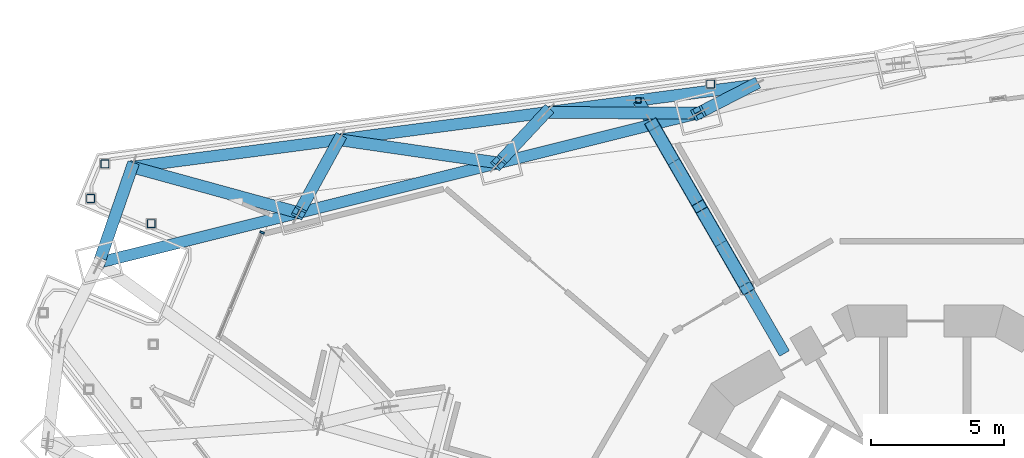
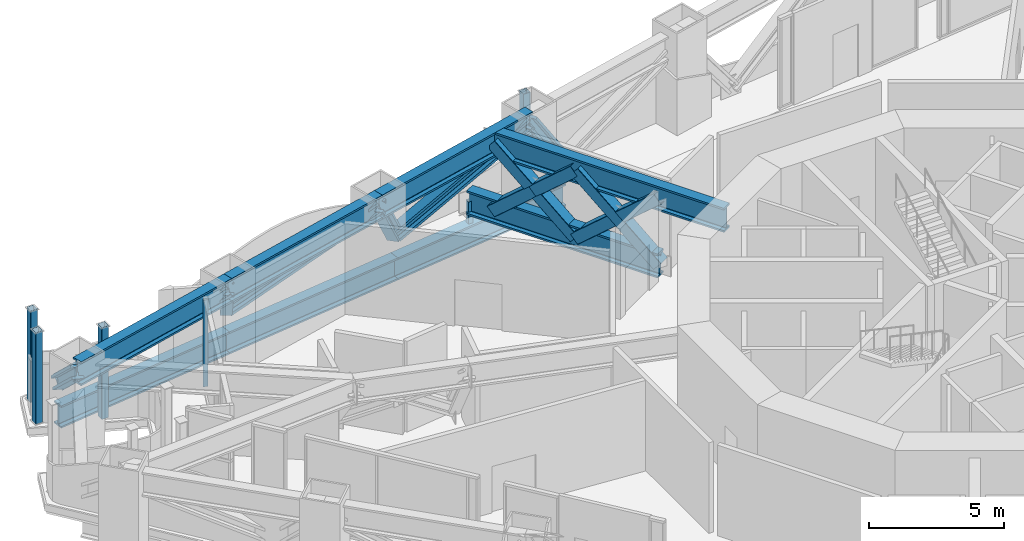
# One storey, part 6 of 31: 27 members, 1 element without a shape of its own.
"""IFC4 building model written with IfcOpenShell, lengths in metres."""

from ifc_helpers import new_model, si_unit, direction, frame, origin, origin_2d, place, context, subcontext, project, spatial, rectangle, hollow_rectangle, i_section, extrude, material, layer, layer_set, material_profile, profile_set, type_object, element, aggregate, save


model = new_model("IFC4")

# Units and contexts
model_context = context("Model", 3, precision=1e-05, world=origin(), true_north=direction((0.0, 1.0)))
body_context = subcontext(model_context, "Body", "Model", "MODEL_VIEW")
ifc_project = project(units=[si_unit("LENGTHUNIT", "METRE"), si_unit("AREAUNIT", "SQUARE_METRE"), si_unit("VOLUMEUNIT", "CUBIC_METRE"), si_unit("PLANEANGLEUNIT", "RADIAN"), si_unit("MASSUNIT", "GRAM", prefix="KILO")], contexts=[model_context])

# Site, building, storey
site_placement = place(None, origin())
site = spatial("IfcSite", under=ifc_project, at=site_placement, CompositionType="ELEMENT")
building_placement = place(site_placement, origin())
building = spatial("IfcBuilding", under=site, at=building_placement, Name="Trine Commons Tower", CompositionType="ELEMENT")
storey_placement = place(building_placement, frame((0.0, 0.0, 82.800048828125)))
storey = spatial("IfcBuildingStorey", under=building, at=storey_placement, Name="L20", CompositionType="ELEMENT", Elevation=82.800048828125)

# Curtain wall, member
ifc_material_1 = material(Name="Sky lounge glazing: anodised aluminium frame with low-emissivity double glazed unit, solar control", Category="aluminium")
ifc_layer = layer(ifc_material_1, 0.179931640625)
ifc_layer_set = layer_set([ifc_layer], Name="Sky lounge glazing: anodised aluminium frame with low-emissivity double glazed unit, solar control")
curtain_wall_type = type_object("IfcCurtainWallType", Name="Sky lounge glazing curtain wall CW5", PredefinedType="NOTDEFINED", material=ifc_layer_set)
curtain_wall_placement = place(storey_placement, origin())
curtain_wall = element("IfcCurtainWall", 1, at=curtain_wall_placement, inside=storey, type_object=curtain_wall_type, Name="Sky lounge glazing L20 P1.2", PredefinedType="NOTDEFINED")
ifc_material_2 = material(Name="Anodised aluminium, bronze finish", Category="aluminium")
ifc_material_profile_1 = material_profile(ifc_material_2, rectangle(XDim=0.179931640625, YDim=0.074951171875, at=origin_2d()), Name="Mullion 75x180")
ifc_profile_set_1 = profile_set([ifc_material_profile_1], Name="Anodised aluminium, bronze finish")
member_type_1 = type_object("IfcMemberType", Name="Mullion 75x180, Anodised aluminium, bronze finish", PredefinedType="MULLION", material=ifc_profile_set_1)
member_1_placement = place(storey_placement, frame((55.01513671875, 76.246337890625, 0.10986328125), z_axis=(0.0, 0.0, 1.0), x_axis=(-0.923879532511, 0.382683432365, 0.0)))
member_1 = element("IfcMember", 2, at=member_1_placement, type_object=member_type_1, Name="CW5 mullion 3.1", PredefinedType="MULLION", context=body_context, shape_type="SweptSolid", body=[
    extrude(rectangle(XDim=0.179931640625, YDim=0.074951171875, at=origin_2d()), origin(), (0.0, 0.0, 1.0), 3.93017578125),
])
aggregate(curtain_wall, [member_1])

# Members
ifc_material_3 = material(Name="Structural steel ASTM A500 Gr C", Category="steel")
ifc_material_profile_2 = material_profile(ifc_material_3, hollow_rectangle(XDim=0.508056640625, YDim=0.508056640625, WallThickness=0.020751953125, InnerFilletRadius=0.01025390625, OuterFilletRadius=0.031005859375, at=origin_2d()), Name="HSS20X20X7/8")
ifc_profile_set_2 = profile_set([ifc_material_profile_2], Name="Structural steel ASTM A500 Gr C")
member_type_2 = type_object("IfcMemberType", Name="Steel brace HSS20X20X7/8, ASTM A500 Gr C", PredefinedType="BRACE", material=ifc_profile_set_2)
member_2_placement = place(storey_placement, frame((73.27490234375, 74.14794921875, 0.546142578125), z_axis=(-0.379177903993, 0.656821894907, 0.651773822345), x_axis=(-0.866047323742, -0.499962031597, 0.0)))
element("IfcMember", 3, at=member_2_placement, inside=storey, type_object=member_type_2, Name="Outrigger truss brace T2-OB-01", PredefinedType="BRACE", context=body_context, shape_type="SweptSolid", body=[
    extrude(hollow_rectangle(XDim=0.508056640625, YDim=0.508056640625, WallThickness=0.020751953125, InnerFilletRadius=0.01025390625, OuterFilletRadius=0.031005859375, at=origin_2d()), origin(), (0.0, 0.0, 1.0), 4.691162109375),
])
member_3_placement = place(storey_placement, frame((73.27490234375, 74.14794921875, 3.603759765625), z_axis=(-0.379164942965, 0.656851483682, -0.651751543466), x_axis=(-0.866064474495, -0.499932321437, 0.0)))
element("IfcMember", 4, at=member_3_placement, inside=storey, type_object=member_type_2, Name="Outrigger truss brace T2-OB-02a", PredefinedType="BRACE", context=body_context, shape_type="SweptSolid", body=[
    extrude(hollow_rectangle(XDim=0.508056640625, YDim=0.508056640625, WallThickness=0.020751953125, InnerFilletRadius=0.01025390625, OuterFilletRadius=0.031005859375, at=origin_2d()), origin(), (0.0, 0.0, 1.0), 2.345703125),
])
member_4_placement = place(storey_placement, frame((72.385498046875, 75.688720703125, 2.074951171875), z_axis=(-0.379190865323, 0.656792303098, -0.651796101743), x_axis=(-0.866030169931, -0.4999917447, 0.0)))
element("IfcMember", 5, at=member_4_placement, inside=storey, type_object=member_type_2, Name="Outrigger truss brace T2-OB-02b", PredefinedType="BRACE", context=body_context, shape_type="SweptSolid", body=[
    extrude(hollow_rectangle(XDim=0.508056640625, YDim=0.508056640625, WallThickness=0.020751953125, InnerFilletRadius=0.01025390625, OuterFilletRadius=0.031005859375, at=origin_2d()), origin(), (0.0, 0.0, 1.0), 2.345458984375),
])
member_5_placement = place(storey_placement, frame((71.49609375, 77.229248046875, 0.546142578125), z_axis=(-0.379190865323, 0.656792303098, 0.651796101743), x_axis=(-0.866030169931, -0.4999917447, 0.0)))
element("IfcMember", 6, at=member_5_placement, inside=storey, type_object=member_type_2, Name="Outrigger truss brace T2-OB-03", PredefinedType="BRACE", context=body_context, shape_type="SweptSolid", body=[
    extrude(hollow_rectangle(XDim=0.508056640625, YDim=0.508056640625, WallThickness=0.020751953125, InnerFilletRadius=0.01025390625, OuterFilletRadius=0.031005859375, at=origin_2d()), origin(), (0.0, 0.0, 1.0), 4.691162109375),
])
for number, where, z_axis, x_axis, name in (
    (7, (71.49609375, 77.229248046875, 3.603759765625), (-0.379190865323, 0.656792303098, -0.651796101743), (-0.866030169931, -0.4999917447, 0.0), "Outrigger truss brace T2-OB-04a"),
    (8, (70.606689453125, 78.769775390625, 2.074951171875), (-0.379190865323, 0.656792303098, -0.651796101743), (-0.866030169931, -0.4999917447, 0.0), "Outrigger truss brace T2-OB-04b"),
):
    element("IfcMember", number, at=place(storey_placement, frame(where, z_axis=z_axis, x_axis=x_axis)), inside=storey, type_object=member_type_2, Name=name, PredefinedType="BRACE", context=body_context, shape_type="SweptSolid", body=[
        extrude(hollow_rectangle(XDim=0.508056640625, YDim=0.508056640625, WallThickness=0.020751953125, InnerFilletRadius=0.01025390625, OuterFilletRadius=0.031005859375, at=origin_2d()), origin(), (0.0, 0.0, 1.0), 2.345458984375),
    ])
ifc_material_4 = material(Name="Structural steel ASTM A992 Gr50", Category="steel")
ifc_material_profile_3 = material_profile(ifc_material_4, i_section(OverallWidth=0.44775390625, OverallDepth=0.54931640625, WebThickness=0.072021484375, FlangeThickness=0.11474609375, FilletRadius=0.01513671875, at=origin_2d()), Name="W14X665")
ifc_profile_set_3 = profile_set([ifc_material_profile_3], Name="Structural steel ASTM A992 Gr50")
member_type_3 = type_object("IfcMemberType", Name="Steel brace W14X665, ASTM A992 Gr50", PredefinedType="BRACE", material=ifc_profile_set_3)
member_6_placement = place(storey_placement, frame((50.1162109375, 78.71484375, 0.504638671875), z_axis=(-0.253251490274, -0.733310939354, 0.630966519634), x_axis=(0.945219681984, -0.326434913557, 0.0)))
element("IfcMember", 9, at=member_6_placement, inside=storey, type_object=member_type_3, Name="Belt truss brace T2-DG-18", PredefinedType="BRACE", context=body_context, shape_type="SweptSolid", body=[
    extrude(i_section(OverallWidth=0.44775390625, OverallDepth=0.54931640625, WebThickness=0.072021484375, FlangeThickness=0.11474609375, FilletRadius=0.01513671875, at=origin_2d()), origin(), (0.0, 0.0, 1.0), 4.91162109375),
])
member_7_placement = place(storey_placement, frame((57.9091796875, 79.740966796875, 0.504638671875), z_axis=(-0.342305961681, -0.623778441491, 0.702657160021), x_axis=(0.87667377237, -0.48108533218, 0.0)))
element("IfcMember", 10, at=member_7_placement, inside=storey, type_object=member_type_3, Name="Belt truss brace T2-DG-19", PredefinedType="BRACE", context=body_context, shape_type="SweptSolid", body=[
    extrude(i_section(OverallWidth=0.44775390625, OverallDepth=0.54931640625, WebThickness=0.072021484375, FlangeThickness=0.11474609375, FilletRadius=0.01513671875, at=origin_2d()), origin(), (0.0, 0.0, 1.0), 4.41064453125),
])
member_8_placement = place(storey_placement, frame((50.1162109375, 78.71484375, 0.504638671875), z_axis=(0.870828317014, -0.239092045696, 0.429526525341), x_axis=(0.264759340658, 0.96431451899, 0.0)))
element("IfcMember", 11, at=member_8_placement, inside=storey, type_object=member_type_3, Name="Belt truss brace T2-DG-20", PredefinedType="BRACE", context=body_context, shape_type="SweptSolid", body=[
    extrude(i_section(OverallWidth=0.44775390625, OverallDepth=0.54931640625, WebThickness=0.072021484375, FlangeThickness=0.11474609375, FilletRadius=0.01513671875, at=origin_2d()), origin(), (0.0, 0.0, 1.0), 7.215087890625),
])
member_9_placement = place(storey_placement, frame((65.70263671875, 80.766845703125, 0.504638671875), z_axis=(-0.438987755728, -0.46964147118, 0.765980834531), x_axis=(0.730546280061, -0.682863187388, 0.0)))
element("IfcMember", 12, at=member_9_placement, inside=storey, type_object=member_type_3, Name="Belt truss brace T2-DG-21", PredefinedType="BRACE", context=body_context, shape_type="SweptSolid", body=[
    extrude(i_section(OverallWidth=0.44775390625, OverallDepth=0.54931640625, WebThickness=0.072021484375, FlangeThickness=0.11474609375, FilletRadius=0.01513671875, at=origin_2d()), origin(), (0.0, 0.0, 1.0), 4.0458984375),
])
member_10_placement = place(storey_placement, frame((57.9091796875, 79.740966796875, 0.504638671875), z_axis=(0.881693038028, -0.128102518326, 0.454100353987), x_axis=(0.143781851258, 0.989609407417, 0.0)))
element("IfcMember", 13, at=member_10_placement, inside=storey, type_object=member_type_3, Name="Belt truss brace T2-DG-22", PredefinedType="BRACE", context=body_context, shape_type="SweptSolid", body=[
    extrude(i_section(OverallWidth=0.44775390625, OverallDepth=0.54931640625, WebThickness=0.072021484375, FlangeThickness=0.11474609375, FilletRadius=0.01513671875, at=origin_2d()), origin(), (0.0, 0.0, 1.0), 6.82470703125),
])
member_11_placement = place(storey_placement, frame((73.495849609375, 81.79296875, 0.504638671875), z_axis=(-0.529435453692, -0.272123746463, 0.803521478857), x_axis=(0.457138966109, -0.889395280887, 0.0)))
element("IfcMember", 14, at=member_11_placement, inside=storey, type_object=member_type_3, Name="Belt truss brace T2-DG-23", PredefinedType="BRACE", context=body_context, shape_type="SweptSolid", body=[
    extrude(i_section(OverallWidth=0.44775390625, OverallDepth=0.54931640625, WebThickness=0.072021484375, FlangeThickness=0.11474609375, FilletRadius=0.01513671875, at=origin_2d()), origin(), (0.0, 0.0, 1.0), 3.85693359375),
])
member_12_placement = place(storey_placement, frame((65.70263671875, 80.766845703125, 0.504638671875), z_axis=(0.880317798233, -0.003587490284, 0.474370850735), x_axis=(0.004075187963, 0.999991696387, 0.0)))
element("IfcMember", 15, at=member_12_placement, inside=storey, type_object=member_type_3, Name="Belt truss brace T2-DG-24", PredefinedType="BRACE", context=body_context, shape_type="SweptSolid", body=[
    extrude(i_section(OverallWidth=0.44775390625, OverallDepth=0.54931640625, WebThickness=0.072021484375, FlangeThickness=0.11474609375, FilletRadius=0.01513671875, at=origin_2d()), origin(), (0.0, 0.0, 1.0), 6.533203125),
])
ifc_material_profile_4 = material_profile(ifc_material_4, i_section(OverallWidth=0.43798828125, OverallDepth=1.009521484375, WebThickness=0.041015625, FlangeThickness=0.073974609375, FilletRadius=0.024169921875, at=origin_2d()), Name="W36X529")
ifc_profile_set_4 = profile_set([ifc_material_profile_4], Name="Structural steel ASTM A992 Gr50")
member_type_4 = type_object("IfcMemberType", Name="Steel chord W36X529, ASTM A992 Gr50", PredefinedType="CHORD", material=ifc_profile_set_4)
member_13_placement = place(storey_placement, frame((50.1162109375, 78.71484375, -0.954833984375), z_axis=(0.991442239354, 0.130546106892, 0.0), x_axis=(-0.130546106892, 0.991442239354, 0.0)))
element("IfcMember", 16, at=member_13_placement, inside=storey, type_object=member_type_4, Name="Belt truss chord T2-LC-08", PredefinedType="CHORD", context=body_context, shape_type="SweptSolid", body=[
    extrude(i_section(OverallWidth=0.43798828125, OverallDepth=1.009521484375, WebThickness=0.041015625, FlangeThickness=0.073974609375, FilletRadius=0.024169921875, at=origin_2d()), origin(), (0.0, 0.0, 1.0), 7.8603515625),
])
for number, where, z_axis, x_axis, name in (
    (17, (57.9091796875, 79.740966796875, -0.954833984375), (0.991447317077, 0.130507537947, 0.0), (-0.130507537947, 0.991447317077, 0.0), "Belt truss chord T2-LC-09"),
    (18, (65.70263671875, 80.766845703125, -0.954833984375), (0.991442768667, 0.130542086924, 0.0), (-0.130542086924, 0.991442768667, 0.0), "Belt truss chord T2-LC-10"),
):
    element("IfcMember", number, at=place(storey_placement, frame(where, z_axis=z_axis, x_axis=x_axis)), inside=storey, type_object=member_type_4, Name=name, PredefinedType="CHORD", context=body_context, shape_type="SweptSolid", body=[
        extrude(i_section(OverallWidth=0.43798828125, OverallDepth=1.009521484375, WebThickness=0.041015625, FlangeThickness=0.073974609375, FilletRadius=0.024169921875, at=origin_2d()), origin(), (0.0, 0.0, 1.0), 7.860595703125),
    ])
ifc_material_profile_5 = material_profile(ifc_material_4, i_section(OverallWidth=0.42529296875, OverallDepth=1.09228515625, WebThickness=0.04541015625, FlangeThickness=0.08203125, FilletRadius=0.030029296875, at=origin_2d()), Name="W40X593")
ifc_profile_set_5 = profile_set([ifc_material_profile_5], Name="Structural steel ASTM A992 Gr50")
member_type_5 = type_object("IfcMemberType", Name="Steel chord W40X593, ASTM A992 Gr50", PredefinedType="CHORD", material=ifc_profile_set_5)
for number, where, z_axis, x_axis, name in (
    (19, (48.872314453125, 75.113037109375, 3.603759765625), (0.970295960131, 0.241920957657, 0.0), (-0.241920957657, 0.970295960131, 0.0), "Belt truss chord T2-UC-08"),
    (20, (56.3994140625, 76.98974609375, 3.603759765625), (0.970288572289, 0.241950586869, 0.0), (-0.241950586869, 0.970288572289, 0.0), "Belt truss chord T2-UC-09"),
):
    element("IfcMember", number, at=place(storey_placement, frame(where, z_axis=z_axis, x_axis=x_axis)), inside=storey, type_object=member_type_5, Name=name, PredefinedType="CHORD", context=body_context, shape_type="SweptSolid", body=[
        extrude(i_section(OverallWidth=0.42529296875, OverallDepth=1.09228515625, WebThickness=0.04541015625, FlangeThickness=0.08203125, FilletRadius=0.030029296875, at=origin_2d()), origin(), (0.0, 0.0, 1.0), 7.757568359375),
    ])
member_14_placement = place(storey_placement, frame((63.926513671875, 78.86669921875, 3.603759765625), z_axis=(0.970297801936, 0.24191357043, 0.0), x_axis=(-0.24191357043, 0.970297801936, 0.0)))
element("IfcMember", 21, at=member_14_placement, inside=storey, type_object=member_type_5, Name="Belt truss chord T2-UC-10", PredefinedType="CHORD", context=body_context, shape_type="SweptSolid", body=[
    extrude(i_section(OverallWidth=0.42529296875, OverallDepth=1.09228515625, WebThickness=0.04541015625, FlangeThickness=0.08203125, FilletRadius=0.030029296875, at=origin_2d()), origin(), (0.0, 0.0, 1.0), 7.7578125),
])
member_15_placement = place(storey_placement, frame((73.27490234375, 74.14794921875, 0.546142578125), z_axis=(-0.499978454482, 0.866037842738, 0.0), x_axis=(-0.866037842738, -0.499978454482, 0.0)))
element("IfcMember", 22, at=member_15_placement, inside=storey, type_object=member_type_5, Name="Outrigger truss chord T2-OL-01", PredefinedType="CHORD", context=body_context, shape_type="SweptSolid", body=[
    extrude(i_section(OverallWidth=0.42529296875, OverallDepth=1.09228515625, WebThickness=0.04541015625, FlangeThickness=0.08203125, FilletRadius=0.030029296875, at=origin_2d()), origin(), (0.0, 0.0, 1.0), 8.172607421875),
])
member_16_placement = place(storey_placement, frame((74.694091796875, 71.68994140625, 3.603759765625), z_axis=(-0.49998784692, 0.866032420255, 0.0), x_axis=(-0.866032420255, -0.49998784692, 0.0)))
element("IfcMember", 23, at=member_16_placement, inside=storey, type_object=member_type_5, Name="Outrigger truss chord T2-OU-01", PredefinedType="CHORD", context=body_context, shape_type="SweptSolid", body=[
    extrude(i_section(OverallWidth=0.42529296875, OverallDepth=1.09228515625, WebThickness=0.04541015625, FlangeThickness=0.08203125, FilletRadius=0.030029296875, at=origin_2d()), origin(), (0.0, 0.0, 1.0), 9.953857421875),
])
ifc_material_profile_6 = material_profile(ifc_material_3, hollow_rectangle(XDim=0.3046875, YDim=0.3046875, WallThickness=0.014892578125, InnerFilletRadius=0.00732421875, OuterFilletRadius=0.022216796875, at=origin_2d()), Name="HSS12X12X5/8")
ifc_profile_set_6 = profile_set([ifc_material_profile_6], Name="Structural steel ASTM A500 Gr C")
member_type_6 = type_object("IfcMemberType", Name="Steel post HSS12X12X5/8, ASTM A500 Gr C", PredefinedType="POST", material=ifc_profile_set_6)
for number, where, z_axis, x_axis, name in (
    (24, (48.5537109375, 77.52783203125, 0.0), (0.0, 0.0, 1.0), (1.0, 0.0, 0.0), "Roof post SP2-21"),
    (25, (49.093994140625, 78.83251953125, 0.0), (0.0, 0.0, 1.0), (1.0, 0.0, 0.0), "Roof post SP2-22"),
    (26, (71.910888671875, 81.836181640625, 0.0), (0.0, 0.0, 1.0), (1.0, 0.0, 0.0), "Roof post SP2-23"),
    (27, (50.837158203125, 76.58203125, 0.0), (0.0, 0.0, 1.0), (1.0, 0.0, 0.0), "Roof post SP2-24"),
):
    element("IfcMember", number, at=place(storey_placement, frame(where, z_axis=z_axis, x_axis=x_axis)), inside=storey, type_object=member_type_6, Name=name, PredefinedType="POST", context=body_context, shape_type="SweptSolid", body=[
        extrude(hollow_rectangle(XDim=0.3046875, YDim=0.3046875, WallThickness=0.014892578125, InnerFilletRadius=0.00732421875, OuterFilletRadius=0.022216796875, at=origin_2d()), origin(), (0.0, 0.0, 1.0), 4.14990234375),
    ])
ifc_material_profile_7 = material_profile(ifc_material_3, hollow_rectangle(XDim=0.203125, YDim=0.203125, WallThickness=0.0087890625, InnerFilletRadius=0.00439453125, OuterFilletRadius=0.013427734375, at=origin_2d()), Name="HSS8X8X3/8")
ifc_profile_set_7 = profile_set([ifc_material_profile_7], Name="Structural steel ASTM A500 Gr C")
member_type_7 = type_object("IfcMemberType", Name="Steel post HSS8X8X3/8, ASTM A500 Gr C", PredefinedType="POST", material=ifc_profile_set_7)
member_17_placement = place(storey_placement, frame((69.188720703125, 81.225830078125, -0.449951171875), z_axis=(0.0, 0.0, 1.0), x_axis=(1.0, 0.0, 0.0)))
element("IfcMember", 28, at=member_17_placement, inside=storey, type_object=member_type_7, Name="Outrigger truss post T2-OS-01", PredefinedType="POST", context=body_context, shape_type="SweptSolid", body=[
    extrude(hollow_rectangle(XDim=0.203125, YDim=0.203125, WallThickness=0.0087890625, InnerFilletRadius=0.00439453125, OuterFilletRadius=0.013427734375, at=origin_2d()), origin(), (0.0, 0.0, 1.0), 0.99609375),
])

save(model, "model.ifc")
